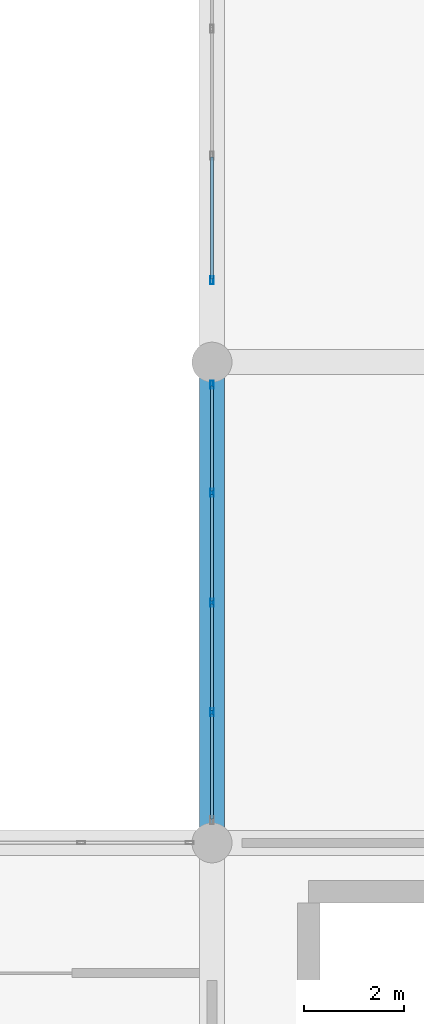
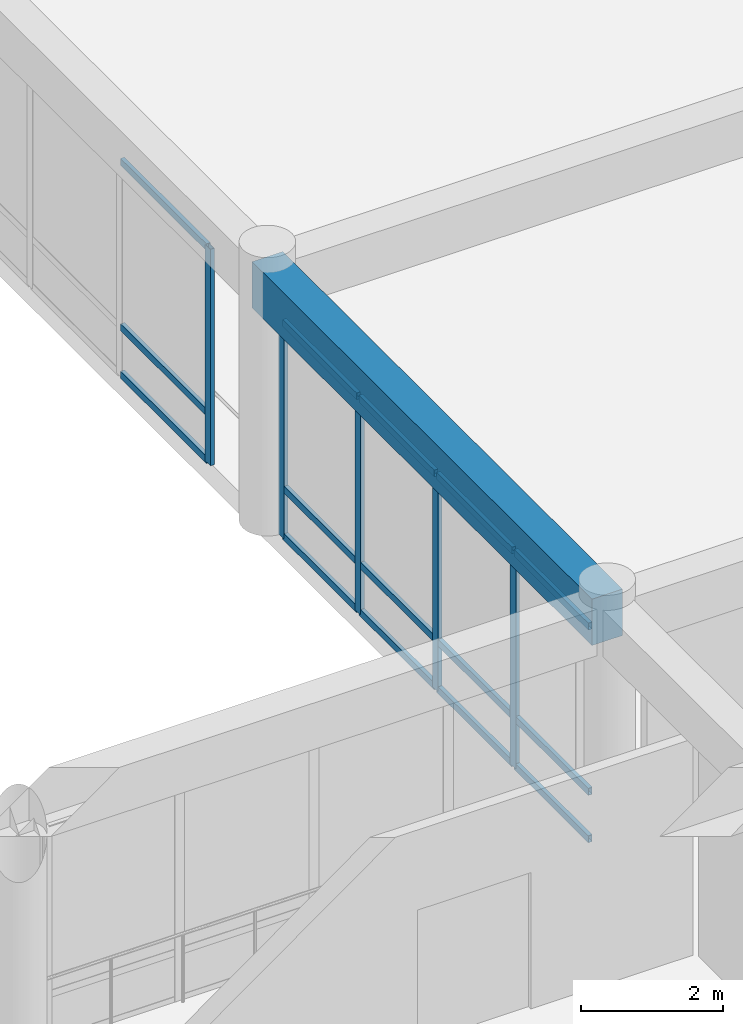
# One storey, part 15 of 101: 20 members, 1 beam, 2 elements without a shape of their own.
"""IFC4 building model written with IfcOpenShell, lengths in metres."""

from ifc_helpers import new_model, si_unit, direction, frame, origin, origin_2d, place, context, subcontext, project, spatial, rectangle, hollow_rectangle, extrude, material, layer, layer_set, material_profile, profile_set, type_object, element, aggregate, save


model = new_model("IFC4")

# Units and contexts
model_context = context("Model", 3, precision=1e-05, world=origin(), true_north=direction((0.0, 1.0)))
body_context = subcontext(model_context, "Body", "Model", "MODEL_VIEW")
ifc_project = project(units=[si_unit("LENGTHUNIT", "METRE"), si_unit("AREAUNIT", "SQUARE_METRE"), si_unit("VOLUMEUNIT", "CUBIC_METRE"), si_unit("PLANEANGLEUNIT", "RADIAN"), si_unit("MASSUNIT", "GRAM", prefix="KILO")], contexts=[model_context])

# Site, building, storey
site_placement = place(None, origin())
site = spatial("IfcSite", under=ifc_project, at=site_placement, CompositionType="ELEMENT")
building_placement = place(site_placement, origin())
building = spatial("IfcBuilding", under=site, at=building_placement, Name="Nakhvara Creek Congress Hotel", CompositionType="ELEMENT")
storey_placement = place(building_placement, frame((0.0, 0.0, 16.199951171875)))
storey = spatial("IfcBuildingStorey", under=building, at=storey_placement, Name="L03", CompositionType="ELEMENT", Elevation=16.199951171875)

# Beam
ifc_material_1 = material(Name="Concrete C40/50", Category="concrete")
ifc_material_profile_1 = material_profile(ifc_material_1, rectangle(XDim=0.5, YDim=0.800048828125, at=origin_2d()), Name="RC-BM 500x800", Category="LoadBearing")
ifc_profile_set_1 = profile_set([ifc_material_profile_1], Name="Concrete C40/50")
beam_type = type_object("IfcBeamType", Name="BM-RC-500X800", PredefinedType="BEAM", material=ifc_profile_set_1)
beam_placement = place(storey_placement, frame((124.800048828125, 43.199951171875, 4.14013671875), z_axis=(0.0, 1.0, 0.0), x_axis=(-1.0, 0.0, 0.0)))
element("IfcBeam", 1, at=beam_placement, inside=storey, type_object=beam_type, Name="Beam B03-L03-1773", PredefinedType="BEAM", context=body_context, shape_type="SweptSolid", body=[
    extrude(rectangle(XDim=0.5, YDim=0.800048828125, at=origin_2d()), origin(), (0.0, 0.0, 1.0), 9.60009765625),
])

# Curtain wall, members
ifc_material_2 = material(Name="Bronze-anodised aluminium AW-6063-T6 and double-silver low-E glass", Category="aluminium")
ifc_layer = layer(ifc_material_2, 0.199951171875)
ifc_layer_set = layer_set([ifc_layer], Name="Bronze-anodised aluminium AW-6063-T6 and double-silver low-E glass")
curtain_wall_type = type_object("IfcCurtainWallType", Name="CW-POD-STICK", PredefinedType="NOTDEFINED", material=ifc_layer_set)
curtain_wall_1_placement = place(storey_placement, origin())
curtain_wall_1 = element("IfcCurtainWall", 2, at=curtain_wall_1_placement, inside=storey, type_object=curtain_wall_type, Name="Curtain Wall CW060", PredefinedType="NOTDEFINED")
ifc_material_3 = material(Name="Bronze-anodised aluminium AW-6063-T6", Category="aluminium")
ifc_material_profile_2 = material_profile(ifc_material_3, hollow_rectangle(XDim=0.06494140625, YDim=0.159912109375, WallThickness=0.00390625, at=origin_2d()), Name="ALU-MULL 65x160x4", Category="LoadBearing")
ifc_profile_set_2 = profile_set([ifc_material_profile_2], Name="Bronze-anodised aluminium AW-6063-T6")
member_type_1 = type_object("IfcMemberType", Name="CW-MULL-160", PredefinedType="MULLION", material=ifc_profile_set_2)
member_1_placement = place(storey_placement, frame((124.800048828125, 45.8076171875, 0.0), z_axis=(0.0, 0.0, 1.0), x_axis=(-1.0, 0.0, 0.0)))
member_1 = element("IfcMember", 3, at=member_1_placement, type_object=member_type_1, Name="CW060 mullion 2", PredefinedType="MULLION", context=body_context, shape_type="SweptSolid", body=[
    extrude(hollow_rectangle(XDim=0.06494140625, YDim=0.159912109375, WallThickness=0.00390625, at=origin_2d()), origin(), (0.0, 0.0, 1.0), 3.73193359375),
])
member_2_placement = place(storey_placement, frame((124.800048828125, 48.0, 0.0), z_axis=(0.0, 0.0, 1.0), x_axis=(-1.0, 0.0, 0.0)))
member_2 = element("IfcMember", 4, at=member_2_placement, type_object=member_type_1, Name="CW060 mullion 3", PredefinedType="MULLION", context=body_context, shape_type="SweptSolid", body=[
    extrude(hollow_rectangle(XDim=0.06494140625, YDim=0.159912109375, WallThickness=0.00390625, at=origin_2d()), origin(), (0.0, 0.0, 1.0), 3.73193359375),
])
member_3_placement = place(storey_placement, frame((124.800048828125, 50.1923828125, 0.0), z_axis=(0.0, 0.0, 1.0), x_axis=(-1.0, 0.0, 0.0)))
member_3 = element("IfcMember", 5, at=member_3_placement, type_object=member_type_1, Name="CW060 mullion 4", PredefinedType="MULLION", context=body_context, shape_type="SweptSolid", body=[
    extrude(hollow_rectangle(XDim=0.06494140625, YDim=0.159912109375, WallThickness=0.00390625, at=origin_2d()), origin(), (0.0, 0.0, 1.0), 3.73193359375),
])
member_4_placement = place(storey_placement, frame((124.800048828125, 52.3525390625, 0.0), z_axis=(0.0, 0.0, 1.0), x_axis=(-1.0, 0.0, 0.0)))
member_4 = element("IfcMember", 6, at=member_4_placement, type_object=member_type_1, Name="CW060 mullion 5", PredefinedType="MULLION", context=body_context, shape_type="SweptSolid", body=[
    extrude(hollow_rectangle(XDim=0.06494140625, YDim=0.159912109375, WallThickness=0.00390625, at=origin_2d()), origin(), (0.0, 0.0, 1.0), 3.73193359375),
])

# Curtain wall, member
curtain_wall_2_placement = place(storey_placement, origin())
curtain_wall_2 = element("IfcCurtainWall", 7, at=curtain_wall_2_placement, inside=storey, type_object=curtain_wall_type, Name="Curtain Wall CW062", PredefinedType="NOTDEFINED")
member_5_placement = place(storey_placement, frame((124.800048828125, 54.4326171875, 0.0), z_axis=(0.0, 0.0, 1.0), x_axis=(-1.0, 0.0, 0.0)))
member_5 = element("IfcMember", 8, at=member_5_placement, type_object=member_type_1, Name="CW062 mullion 1", PredefinedType="MULLION", context=body_context, shape_type="SweptSolid", body=[
    extrude(hollow_rectangle(XDim=0.06494140625, YDim=0.159912109375, WallThickness=0.00390625, at=origin_2d()), origin(), (0.0, 0.0, 1.0), 3.73193359375),
])

# Member
ifc_material_profile_3 = material_profile(ifc_material_3, hollow_rectangle(XDim=0.06494140625, YDim=0.1201171875, WallThickness=0.00390625, at=origin_2d()), Name="ALU-TRAN 65x120x4", Category="LoadBearing")
ifc_profile_set_3 = profile_set([ifc_material_profile_3], Name="Bronze-anodised aluminium AW-6063-T6")
member_type_2 = type_object("IfcMemberType", Name="CW-TRAN-120", PredefinedType="USERDEFINED", material=ifc_profile_set_3)
member_6_placement = place(storey_placement, frame((124.800048828125, 43.679931640625, 0.032470703125), z_axis=(0.0, 1.0, 0.0), x_axis=(-1.0, 0.0, 0.0)))
member_6 = element("IfcMember", 9, at=member_6_placement, type_object=member_type_2, Name="CW060 transom 1.1", ObjectType="TRANSOM", PredefinedType="USERDEFINED", context=body_context, shape_type="SweptSolid", body=[
    extrude(hollow_rectangle(XDim=0.06494140625, YDim=0.1201171875, WallThickness=0.00390625, at=origin_2d()), origin(), (0.0, 0.0, 1.0), 2.094970703125),
])

member_7_placement = place(storey_placement, frame((124.800048828125, 43.679931640625, 0.85009765625), z_axis=(0.0, 1.0, 0.0), x_axis=(-1.0, 0.0, 0.0)))
member_7 = element("IfcMember", 10, at=member_7_placement, type_object=member_type_2, Name="CW060 transom 1.2", ObjectType="TRANSOM", PredefinedType="USERDEFINED", context=body_context, shape_type="SweptSolid", body=[
    extrude(hollow_rectangle(XDim=0.06494140625, YDim=0.1201171875, WallThickness=0.00390625, at=origin_2d()), origin(), (0.0, 0.0, 1.0), 2.094970703125),
])

member_8_placement = place(storey_placement, frame((124.800048828125, 43.679931640625, 3.699462890625), z_axis=(0.0, 1.0, 0.0), x_axis=(-1.0, 0.0, 0.0)))
member_8 = element("IfcMember", 11, at=member_8_placement, type_object=member_type_2, Name="CW060 transom 1.3", ObjectType="TRANSOM", PredefinedType="USERDEFINED", context=body_context, shape_type="SweptSolid", body=[
    extrude(hollow_rectangle(XDim=0.06494140625, YDim=0.1201171875, WallThickness=0.00390625, at=origin_2d()), origin(), (0.0, 0.0, 1.0), 2.094970703125),
])

member_9_placement = place(storey_placement, frame((124.800048828125, 45.840087890625, 0.032470703125), z_axis=(0.0, 1.0, 0.0), x_axis=(-1.0, 0.0, 0.0)))
member_9 = element("IfcMember", 12, at=member_9_placement, type_object=member_type_2, Name="CW060 transom 2.1", ObjectType="TRANSOM", PredefinedType="USERDEFINED", context=body_context, shape_type="SweptSolid", body=[
    extrude(hollow_rectangle(XDim=0.06494140625, YDim=0.1201171875, WallThickness=0.00390625, at=origin_2d()), origin(), (0.0, 0.0, 1.0), 2.12744140625),
])

member_10_placement = place(storey_placement, frame((124.800048828125, 45.840087890625, 0.85009765625), z_axis=(0.0, 1.0, 0.0), x_axis=(-1.0, 0.0, 0.0)))
member_10 = element("IfcMember", 13, at=member_10_placement, type_object=member_type_2, Name="CW060 transom 2.2", ObjectType="TRANSOM", PredefinedType="USERDEFINED", context=body_context, shape_type="SweptSolid", body=[
    extrude(hollow_rectangle(XDim=0.06494140625, YDim=0.1201171875, WallThickness=0.00390625, at=origin_2d()), origin(), (0.0, 0.0, 1.0), 2.12744140625),
])

member_11_placement = place(storey_placement, frame((124.800048828125, 45.840087890625, 3.699462890625), z_axis=(0.0, 1.0, 0.0), x_axis=(-1.0, 0.0, 0.0)))
member_11 = element("IfcMember", 14, at=member_11_placement, type_object=member_type_2, Name="CW060 transom 2.3", ObjectType="TRANSOM", PredefinedType="USERDEFINED", context=body_context, shape_type="SweptSolid", body=[
    extrude(hollow_rectangle(XDim=0.06494140625, YDim=0.1201171875, WallThickness=0.00390625, at=origin_2d()), origin(), (0.0, 0.0, 1.0), 2.12744140625),
])

member_12_placement = place(storey_placement, frame((124.800048828125, 48.032470703125, 0.032470703125), z_axis=(0.0, 1.0, 0.0), x_axis=(-1.0, 0.0, 0.0)))
member_12 = element("IfcMember", 15, at=member_12_placement, type_object=member_type_2, Name="CW060 transom 3.1", ObjectType="TRANSOM", PredefinedType="USERDEFINED", context=body_context, shape_type="SweptSolid", body=[
    extrude(hollow_rectangle(XDim=0.06494140625, YDim=0.1201171875, WallThickness=0.00390625, at=origin_2d()), origin(), (0.0, 0.0, 1.0), 2.12744140625),
])

member_13_placement = place(storey_placement, frame((124.800048828125, 48.032470703125, 0.85009765625), z_axis=(0.0, 1.0, 0.0), x_axis=(-1.0, 0.0, 0.0)))
member_13 = element("IfcMember", 16, at=member_13_placement, type_object=member_type_2, Name="CW060 transom 3.2", ObjectType="TRANSOM", PredefinedType="USERDEFINED", context=body_context, shape_type="SweptSolid", body=[
    extrude(hollow_rectangle(XDim=0.06494140625, YDim=0.1201171875, WallThickness=0.00390625, at=origin_2d()), origin(), (0.0, 0.0, 1.0), 2.12744140625),
])

member_14_placement = place(storey_placement, frame((124.800048828125, 48.032470703125, 3.699462890625), z_axis=(0.0, 1.0, 0.0), x_axis=(-1.0, 0.0, 0.0)))
member_14 = element("IfcMember", 17, at=member_14_placement, type_object=member_type_2, Name="CW060 transom 3.3", ObjectType="TRANSOM", PredefinedType="USERDEFINED", context=body_context, shape_type="SweptSolid", body=[
    extrude(hollow_rectangle(XDim=0.06494140625, YDim=0.1201171875, WallThickness=0.00390625, at=origin_2d()), origin(), (0.0, 0.0, 1.0), 2.12744140625),
])

member_15_placement = place(storey_placement, frame((124.800048828125, 50.22509765625, 0.032470703125), z_axis=(0.0, 1.0, 0.0), x_axis=(-1.0, 0.0, 0.0)))
member_15 = element("IfcMember", 18, at=member_15_placement, type_object=member_type_2, Name="CW060 transom 4.1", ObjectType="TRANSOM", PredefinedType="USERDEFINED", context=body_context, shape_type="SweptSolid", body=[
    extrude(hollow_rectangle(XDim=0.06494140625, YDim=0.1201171875, WallThickness=0.00390625, at=origin_2d()), origin(), (0.0, 0.0, 1.0), 2.094970703125),
])

member_16_placement = place(storey_placement, frame((124.800048828125, 50.22509765625, 0.85009765625), z_axis=(0.0, 1.0, 0.0), x_axis=(-1.0, 0.0, 0.0)))
member_16 = element("IfcMember", 19, at=member_16_placement, type_object=member_type_2, Name="CW060 transom 4.2", ObjectType="TRANSOM", PredefinedType="USERDEFINED", context=body_context, shape_type="SweptSolid", body=[
    extrude(hollow_rectangle(XDim=0.06494140625, YDim=0.1201171875, WallThickness=0.00390625, at=origin_2d()), origin(), (0.0, 0.0, 1.0), 2.094970703125),
])

member_17_placement = place(storey_placement, frame((124.800048828125, 50.22509765625, 3.699462890625), z_axis=(0.0, 1.0, 0.0), x_axis=(-1.0, 0.0, 0.0)))
member_17 = element("IfcMember", 20, at=member_17_placement, type_object=member_type_2, Name="CW060 transom 4.3", ObjectType="TRANSOM", PredefinedType="USERDEFINED", context=body_context, shape_type="SweptSolid", body=[
    extrude(hollow_rectangle(XDim=0.06494140625, YDim=0.1201171875, WallThickness=0.00390625, at=origin_2d()), origin(), (0.0, 0.0, 1.0), 2.094970703125),
])

aggregate(curtain_wall_1, [member_1, member_2, member_3, member_4, member_6, member_7, member_8, member_9, member_10, member_11, member_12, member_13, member_14, member_15, member_16, member_17])

member_18_placement = place(storey_placement, frame((124.800048828125, 54.465087890625, 0.032470703125), z_axis=(0.0, 1.0, 0.0), x_axis=(-1.0, 0.0, 0.0)))
member_18 = element("IfcMember", 21, at=member_18_placement, type_object=member_type_2, Name="CW062 transom 1.1", ObjectType="TRANSOM", PredefinedType="USERDEFINED", context=body_context, shape_type="SweptSolid", body=[
    extrude(hollow_rectangle(XDim=0.06494140625, YDim=0.1201171875, WallThickness=0.00390625, at=origin_2d()), origin(), (0.0, 0.0, 1.0), 2.4306640625),
])

member_19_placement = place(storey_placement, frame((124.800048828125, 54.465087890625, 0.85009765625), z_axis=(0.0, 1.0, 0.0), x_axis=(-1.0, 0.0, 0.0)))
member_19 = element("IfcMember", 22, at=member_19_placement, type_object=member_type_2, Name="CW062 transom 1.2", ObjectType="TRANSOM", PredefinedType="USERDEFINED", context=body_context, shape_type="SweptSolid", body=[
    extrude(hollow_rectangle(XDim=0.06494140625, YDim=0.1201171875, WallThickness=0.00390625, at=origin_2d()), origin(), (0.0, 0.0, 1.0), 2.4306640625),
])

member_20_placement = place(storey_placement, frame((124.800048828125, 54.465087890625, 3.699462890625), z_axis=(0.0, 1.0, 0.0), x_axis=(-1.0, 0.0, 0.0)))
member_20 = element("IfcMember", 23, at=member_20_placement, type_object=member_type_2, Name="CW062 transom 1.3", ObjectType="TRANSOM", PredefinedType="USERDEFINED", context=body_context, shape_type="SweptSolid", body=[
    extrude(hollow_rectangle(XDim=0.06494140625, YDim=0.1201171875, WallThickness=0.00390625, at=origin_2d()), origin(), (0.0, 0.0, 1.0), 2.4306640625),
])

aggregate(curtain_wall_2, [member_5, member_18, member_19, member_20])

save(model, "model.ifc")
